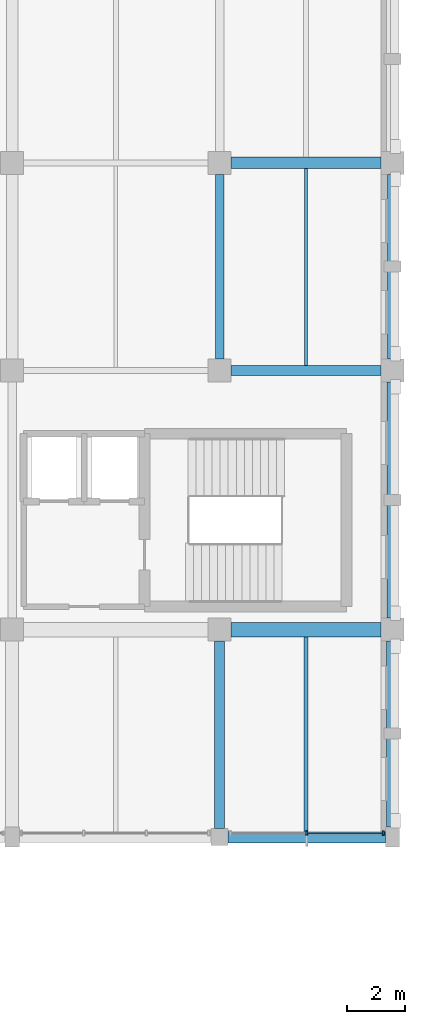
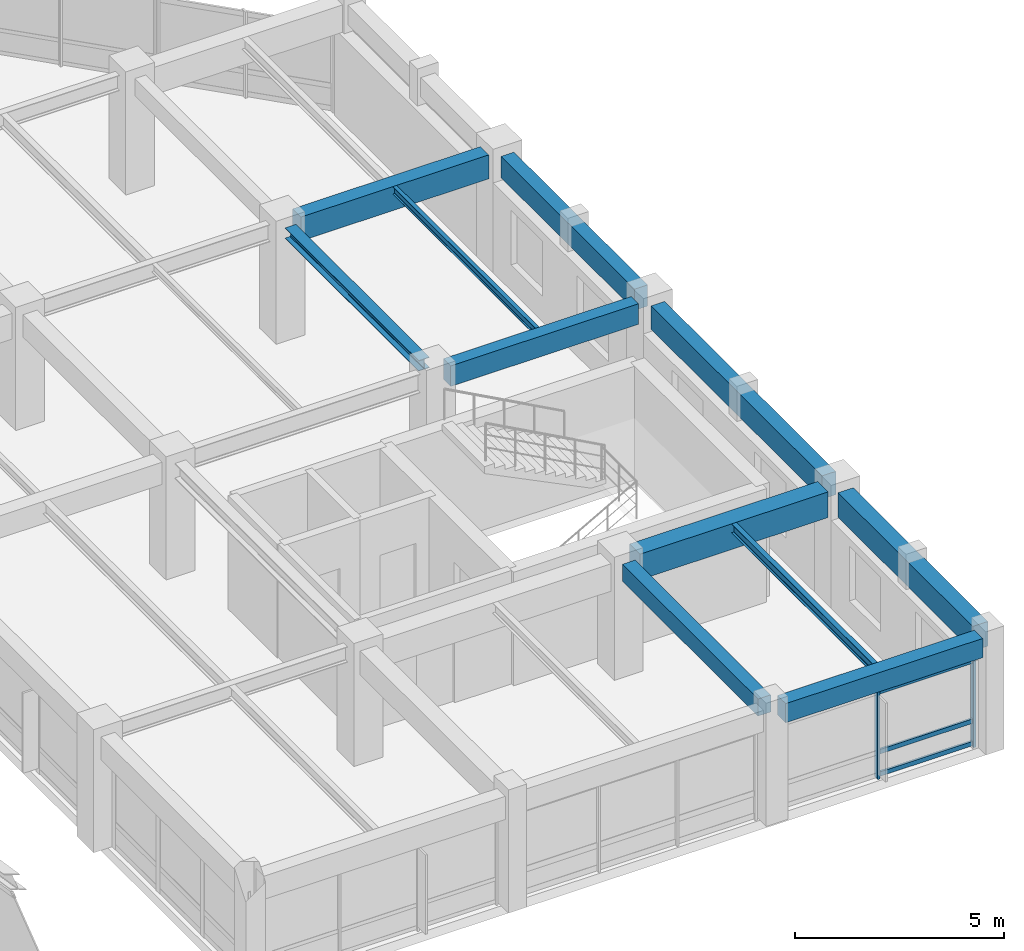
# One storey, part 38 of 74: 11 beams, 5 members, 1 element without a shape of its own.
"""IFC4 building model written with IfcOpenShell, lengths in metres."""

import ifcopenshell
import ifcopenshell.guid

model = None  # the IFC model being written
_history = None  # IfcOwnerHistory: only IFC2X3 demands one
_inside = {}  # id of a spatial element -> (the spatial element, [elements in it])
_under = {}  # id of a project, library or spatial element -> (it, [spatial elements below it])
_declared = {}  # id of a project -> (the project, [libraries it declares])
_typed = {}  # id of a type object -> (the type object, [elements of that type])
_made_of = {}  # id of a material, layer set ... -> (it, [elements and type objects made of it])


def new_model(schema):
    """Start an empty IFC model of exactly this schema.

    Asked for "IFC4X3", IfcOpenShell would pick the latest addendum, in which some entities
    have other attributes; the version numbers below select the first issue.
    IFC2X3 requires an IfcOwnerHistory on every rooted entity: one is made here for all.
    """
    global model, _history
    if schema == "IFC4X3":
        model = ifcopenshell.file(schema_version=(4, 3, 0, 0))
    else:
        model = ifcopenshell.file(schema=schema)
    _inside.clear()
    _under.clear()
    _declared.clear()
    _typed.clear()
    _made_of.clear()
    _history = None
    if model.schema == "IFC2X3":
        org = make("IfcOrganization", Name="unknown")
        user = make(
            "IfcPersonAndOrganization",
            ThePerson=make("IfcPerson", FamilyName="unknown"),
            TheOrganization=org,
        )
        app = make(
            "IfcApplication",
            ApplicationDeveloper=org,
            Version="unknown",
            ApplicationFullName="unknown",
            ApplicationIdentifier="unknown",
        )
        _history = make(
            "IfcOwnerHistory",
            OwningUser=user,
            OwningApplication=app,
            ChangeAction="ADDED",
            CreationDate=0,
        )
    return model


def make(cls, **values):
    """One entity of the class cls with the attributes given. An attribute that is None is left unset."""
    return model.create_entity(
        cls, **{name: value for name, value in values.items() if value is not None}
    )


def rooted(cls, **values):
    """An entity with a GlobalId (a new one), such as an element, a storey or a relation."""
    return make(cls, GlobalId=ifcopenshell.guid.new(), OwnerHistory=_history, **values)


def si_unit(unit_type, name, prefix=None):
    """IfcSIUnit, for example si_unit("LENGTHUNIT", "METRE", prefix="MILLI")."""
    return make("IfcSIUnit", UnitType=unit_type, Prefix=prefix, Name=name)


def assignment(units):
    """IfcUnitAssignment: the units of a project."""
    return None if units is None else make("IfcUnitAssignment", Units=units)


def point(xyz):
    """IfcCartesianPoint."""
    return None if xyz is None else make("IfcCartesianPoint", Coordinates=xyz)


def direction(xyz):
    """IfcDirection."""
    return None if xyz is None else make("IfcDirection", DirectionRatios=xyz)


def frame(location, z_axis=None, x_axis=None):
    """IfcAxis2Placement3D, a coordinate frame: its origin and axes. An axis left out is left unset."""
    return make(
        "IfcAxis2Placement3D",
        Location=point(location),
        Axis=direction(z_axis),
        RefDirection=direction(x_axis),
    )


def frame_2d(location, x_axis=None):
    """IfcAxis2Placement2D, a coordinate frame in the plane: its origin and x axis."""
    return make(
        "IfcAxis2Placement2D", Location=point(location), RefDirection=direction(x_axis)
    )


def origin():
    """The frame at (0, 0, 0) with its axes left unset."""
    return frame((0.0, 0.0, 0.0))


def origin_2d():
    """The frame at (0, 0) in the plane with its x axis left unset."""
    return frame_2d((0.0, 0.0))


def place(relative_to, where):
    """IfcLocalPlacement: puts the frame where relative to a parent placement (None: the world)."""
    return make(
        "IfcLocalPlacement", PlacementRelTo=relative_to, RelativePlacement=where
    )


def context(
    kind, dimensions, precision=None, world=None, true_north=None, identifier=None
):
    """IfcGeometricRepresentationContext, for example the 3D "Model" context."""
    return make(
        "IfcGeometricRepresentationContext",
        ContextIdentifier=identifier,
        ContextType=kind,
        CoordinateSpaceDimension=dimensions,
        Precision=precision,
        WorldCoordinateSystem=world,
        TrueNorth=true_north,
    )


def subcontext(parent, identifier, kind, view, scale=None):
    """IfcGeometricRepresentationSubContext, for example "Body" below "Model"."""
    return make(
        "IfcGeometricRepresentationSubContext",
        ContextIdentifier=identifier,
        ContextType=kind,
        ParentContext=parent,
        TargetScale=scale,
        TargetView=view,
    )


def project(units=None, contexts=None):
    """IfcProject with its units and contexts."""
    return rooted(
        "IfcProject",
        Name="project",
        RepresentationContexts=contexts,
        UnitsInContext=assignment(units),
    )


def spatial(cls, under=None, at=None, **own):
    """A site, building, storey or space (cls), placed at a placement, below another one or the project."""
    s = rooted(cls, ObjectPlacement=at, **own)
    if under is not None:
        _under.setdefault(under.id(), (under, []))[1].append(s)
    return s


def profile(cls, at=None, kind="AREA", **sizes):
    """A parametric profile (cls). Its sizes go by their IFC names, for example OverallWidth=200.0."""
    return make(cls, ProfileType=kind, Position=at, **sizes)


def rectangle(**sizes):
    """IfcRectangleProfileDef."""
    return profile("IfcRectangleProfileDef", **sizes)


def i_section(**sizes):
    """IfcIShapeProfileDef."""
    return profile("IfcIShapeProfileDef", **sizes)


def extrude(swept, where, along, depth):
    """IfcExtrudedAreaSolid: the profile swept, set in the frame where, extruded along a direction by depth."""
    return make(
        "IfcExtrudedAreaSolid",
        SweptArea=swept,
        Position=where,
        ExtrudedDirection=direction(along),
        Depth=depth,
    )


def shape(context_of_items, identifier, shape_type, items):
    """IfcShapeRepresentation: the items that make up one representation, for example the "Body"."""
    return make(
        "IfcShapeRepresentation",
        ContextOfItems=context_of_items,
        RepresentationIdentifier=identifier,
        RepresentationType=shape_type,
        Items=items,
    )


def material(Name=None, Category=None):
    """IfcMaterial."""
    return make("IfcMaterial", Name=Name, Category=Category)


def material_profile(
    of_material, cross_section, Name=None, Category=None, Priority=None
):
    """IfcMaterialProfile: a cross section and its material."""
    return make(
        "IfcMaterialProfile",
        Name=Name,
        Material=of_material,
        Profile=cross_section,
        Priority=Priority,
        Category=Category,
    )


def profile_set(profiles, Name=None, composite=None):
    """IfcMaterialProfileSet."""
    return make(
        "IfcMaterialProfileSet",
        Name=Name,
        MaterialProfiles=profiles,
        CompositeProfile=composite,
    )


def made_of(thing, what):
    """Note that an element or type object is made of a material, layer set ...; save() writes the relation."""
    if what is not None:
        _made_of.setdefault(what.id(), (what, []))[1].append(thing)
    return thing


def type_object(cls, material=None, **own):
    """A type object (cls), such as IfcWallType, which elements share."""
    return made_of(rooted(cls, **own), material)


def element(
    cls,
    number,
    at=None,
    inside=None,
    cuts=None,
    type_object=None,
    material=None,
    context=None,
    identifier="Body",
    shape_type=None,
    held_by="IfcProductDefinitionShape",
    body=None,
    shapes=None,
    **own,
):
    """One element of the class cls, such as IfcWall. Its Tag is "e" and its number.

    at: its placement. inside: the storey or other place that contains it. cuts: it is an
    opening in that element (IfcRelVoidsElement). A single representation is given by context,
    identifier, shape_type and body (its items); several are given by shapes. held_by: the class
    of the entity that holds the representations. save() writes the other relations.
    """
    e = rooted(cls, Tag="e%d" % number, ObjectPlacement=at, **own)
    if body is not None:
        shapes = [shape(context, identifier, shape_type, body)]
    if shapes is not None:
        e.Representation = make(held_by, Representations=shapes)
    if inside is not None:
        _inside.setdefault(inside.id(), (inside, []))[1].append(e)
    if cuts is not None:
        rooted(
            "IfcRelVoidsElement", RelatingBuildingElement=cuts, RelatedOpeningElement=e
        )
    if type_object is not None:
        _typed.setdefault(type_object.id(), (type_object, []))[1].append(e)
    return made_of(e, material)


def aggregate(whole, parts):
    """IfcRelAggregates: a whole, such as a stair, and the parts it consists of."""
    return rooted("IfcRelAggregates", RelatingObject=whole, RelatedObjects=parts)


def save(model, path):
    """Write the relations noted so far, then the file.

    IfcRelAggregates (storeys below a building ...), IfcRelContainedInSpatialStructure (elements
    in a storey), IfcRelDefinesByType, IfcRelAssociatesMaterial and IfcRelDeclares: one each for
    every whole, place, type object, material and project.
    """
    for whole, parts in _under.values():
        aggregate(whole, parts)
    for where, things in _inside.values():
        rooted(
            "IfcRelContainedInSpatialStructure",
            RelatedElements=things,
            RelatingStructure=where,
        )
    for kind, things in _typed.values():
        rooted("IfcRelDefinesByType", RelatedObjects=things, RelatingType=kind)
    for what, things in _made_of.values():
        rooted("IfcRelAssociatesMaterial", RelatedObjects=things, RelatingMaterial=what)
    for by, libraries in _declared.values():
        rooted("IfcRelDeclares", RelatingContext=by, RelatedDefinitions=libraries)
    model.write(path)


model = new_model("IFC4")

# Units and contexts
model_context = context("Model", 3, precision=1e-05, world=origin(), true_north=direction((0.0, 1.0)))
body_context = subcontext(model_context, "Body", "Model", "MODEL_VIEW")
ifc_project = project(units=[si_unit("LENGTHUNIT", "METRE"), si_unit("AREAUNIT", "SQUARE_METRE"), si_unit("VOLUMEUNIT", "CUBIC_METRE"), si_unit("PLANEANGLEUNIT", "RADIAN"), si_unit("MASSUNIT", "GRAM", prefix="KILO")], contexts=[model_context])

# Site, building, storey
site_placement = place(None, origin())
site = spatial("IfcSite", under=ifc_project, at=site_placement, CompositionType="ELEMENT")
building_placement = place(site_placement, origin())
building = spatial("IfcBuilding", under=site, at=building_placement, Name="Clarverna Civic Hall", CompositionType="ELEMENT")
storey_placement = place(building_placement, frame((0.0, 0.0, 9.60009765625)))
storey = spatial("IfcBuildingStorey", under=building, at=storey_placement, Name="L02", CompositionType="ELEMENT", Elevation=9.60009765625)

# Beams
ifc_material_1 = material(Name="Concrete C35/45", Category="concrete")
ifc_material_profile_1 = material_profile(ifc_material_1, rectangle(XDim=0.35009765625, YDim=0.5, at=origin_2d()), Name="RC 350x500")
ifc_profile_set_1 = profile_set([ifc_material_profile_1], Name="Concrete C35/45")
beam_type_1 = type_object("IfcBeamType", Name="B-RC10", PredefinedType="BEAM", material=ifc_profile_set_1)
beam_1_placement = place(storey_placement, frame((162.0, 71.89990234375, 3.06982421875), z_axis=(0.0, 1.0, 0.0), x_axis=(-1.0, 0.0, 0.0)))
element("IfcBeam", 1, at=beam_1_placement, inside=storey, type_object=beam_type_1, Name="B-RC10-030", PredefinedType="BEAM", context=body_context, shape_type="SweptSolid", body=[
    extrude(rectangle(XDim=0.35009765625, YDim=0.5, at=origin_2d()), origin(), (0.0, 0.0, 1.0), 6.5),
])
ifc_material_profile_2 = material_profile(ifc_material_1, rectangle(XDim=0.5, YDim=0.75, at=origin_2d()), Name="RC 500x750")
ifc_profile_set_2 = profile_set([ifc_material_profile_2], Name="Concrete C35/45")
beam_type_2 = type_object("IfcBeamType", Name="B-RC15", PredefinedType="BEAM", material=ifc_profile_set_2)
beam_2_placement = place(storey_placement, frame((162.39990234375, 78.800048828125, 2.94482421875), z_axis=(1.0, 0.0, 0.0), x_axis=(0.0, 1.0, 0.0)))
element("IfcBeam", 2, at=beam_2_placement, inside=storey, type_object=beam_type_2, Name="B-RC15-035", PredefinedType="BEAM", context=body_context, shape_type="SweptSolid", body=[
    extrude(rectangle(XDim=0.5, YDim=0.75, at=origin_2d()), origin(), (0.0, 0.0, 1.0), 5.2001953125),
])
ifc_material_profile_3 = material_profile(ifc_material_1, rectangle(XDim=0.39990234375, YDim=0.699951171875, at=origin_2d()), Name="RC 400x700")
ifc_profile_set_3 = profile_set([ifc_material_profile_3], Name="Concrete C35/45")
beam_type_3 = type_object("IfcBeamType", Name="B-RC5", PredefinedType="BEAM", material=ifc_profile_set_3)
beam_3_placement = place(storey_placement, frame((162.39990234375, 95.0, 2.969970703125), z_axis=(1.0, 0.0, 0.0), x_axis=(0.0, 1.0, 0.0)))
element("IfcBeam", 3, at=beam_3_placement, inside=storey, type_object=beam_type_3, Name="B-RC5-030", PredefinedType="BEAM", context=body_context, shape_type="SweptSolid", body=[
    extrude(rectangle(XDim=0.39990234375, YDim=0.699951171875, at=origin_2d()), origin(), (0.0, 0.0, 1.0), 5.2001953125),
])
ifc_material_profile_4 = material_profile(ifc_material_1, rectangle(XDim=0.35009765625, YDim=0.60009765625, at=origin_2d()), Name="RC 350x600")
ifc_profile_set_4 = profile_set([ifc_material_profile_4], Name="Concrete C35/45")
beam_type_4 = type_object("IfcBeamType", Name="B-RC8", PredefinedType="BEAM", material=ifc_profile_set_4)
beam_4_placement = place(storey_placement, frame((162.39990234375, 87.800048828125, 3.02001953125), z_axis=(1.0, 0.0, 0.0), x_axis=(0.0, 1.0, 0.0)))
element("IfcBeam", 4, at=beam_4_placement, inside=storey, type_object=beam_type_4, Name="B-RC8-026", PredefinedType="BEAM", context=body_context, shape_type="SweptSolid", body=[
    extrude(rectangle(XDim=0.35009765625, YDim=0.60009765625, at=origin_2d()), origin(), (0.0, 0.0, 1.0), 5.2001953125),
])
ifc_material_profile_5 = material_profile(ifc_material_1, rectangle(XDim=0.419921875, YDim=0.719970703125, at=origin_2d()), Name="RC 420x720")
ifc_profile_set_5 = profile_set([ifc_material_profile_5], Name="Concrete C35/45")
beam_type_5 = type_object("IfcBeamType", Name="B-SP1", PredefinedType="SPANDREL", material=ifc_profile_set_5)
beam_5_placement = place(storey_placement, frame((168.0, 71.949951171875, 2.9599609375), z_axis=(0.0, 1.0, 0.0), x_axis=(-1.0, 0.0, 0.0)))
element("IfcBeam", 5, at=beam_5_placement, inside=storey, type_object=beam_type_5, Name="B-SP1-105", PredefinedType="SPANDREL", context=body_context, shape_type="SweptSolid", body=[
    extrude(rectangle(XDim=0.419921875, YDim=0.719970703125, at=origin_2d()), origin(), (0.0, 0.0, 1.0), 6.449951171875),
])
ifc_material_profile_6 = material_profile(ifc_material_1, rectangle(XDim=0.3798828125, YDim=0.679931640625, at=origin_2d()), Name="RC 380x680")
ifc_profile_set_6 = profile_set([ifc_material_profile_6], Name="Concrete C35/45")
beam_type_6 = type_object("IfcBeamType", Name="B-SP2", PredefinedType="SPANDREL", material=ifc_profile_set_6)
beam_6_placement = place(storey_placement, frame((168.0, 79.199951171875, 2.97998046875), z_axis=(0.0, 1.0, 0.0), x_axis=(-1.0, 0.0, 0.0)))
element("IfcBeam", 6, at=beam_6_placement, inside=storey, type_object=beam_type_6, Name="B-SP2-108", PredefinedType="SPANDREL", context=body_context, shape_type="SweptSolid", body=[
    extrude(rectangle(XDim=0.3798828125, YDim=0.679931640625, at=origin_2d()), origin(), (0.0, 0.0, 1.0), 8.199951171875),
])
ifc_material_profile_7 = material_profile(ifc_material_1, rectangle(XDim=0.360107421875, YDim=0.6201171875, at=origin_2d()), Name="RC 360x620")
ifc_profile_set_7 = profile_set([ifc_material_profile_7], Name="Concrete C35/45")
beam_type_7 = type_object("IfcBeamType", Name="B-SP3", PredefinedType="SPANDREL", material=ifc_profile_set_7)
beam_7_placement = place(storey_placement, frame((168.0, 88.199951171875, 3.010009765625), z_axis=(0.0, 1.0, 0.0), x_axis=(-1.0, 0.0, 0.0)))
element("IfcBeam", 7, at=beam_7_placement, inside=storey, type_object=beam_type_7, Name="B-SP3-106", PredefinedType="SPANDREL", context=body_context, shape_type="SweptSolid", body=[
    extrude(rectangle(XDim=0.360107421875, YDim=0.6201171875, at=origin_2d()), origin(), (0.0, 0.0, 1.0), 6.400146484375),
])
ifc_material_profile_8 = material_profile(ifc_material_1, rectangle(XDim=0.39990234375, YDim=0.56005859375, at=origin_2d()), Name="RC 400x560")
ifc_profile_set_8 = profile_set([ifc_material_profile_8], Name="Concrete C35/45")
beam_type_8 = type_object("IfcBeamType", Name="B-SP4", PredefinedType="SPANDREL", material=ifc_profile_set_8)
beam_8_placement = place(storey_placement, frame((162.300048828125, 71.60009765625, 3.039794921875), z_axis=(1.0, 0.0, 0.0), x_axis=(0.0, 1.0, 0.0)))
element("IfcBeam", 8, at=beam_8_placement, inside=storey, type_object=beam_type_8, Name="B-SP4-086", PredefinedType="SPANDREL", context=body_context, shape_type="SweptSolid", body=[
    extrude(rectangle(XDim=0.39990234375, YDim=0.56005859375, at=origin_2d()), origin(), (0.0, 0.0, 1.0), 5.449951171875),
])
ifc_material_2 = material(Name="Steel S355", Category="steel")
ifc_material_profile_9 = material_profile(ifc_material_2, i_section(OverallWidth=0.300048828125, OverallDepth=0.31005859375, WebThickness=0.009033203125, FlangeThickness=0.015380859375, FilletRadius=0.027099609375, at=origin_2d()), Name="HEA 320")
ifc_profile_set_9 = profile_set([ifc_material_profile_9], Name="Steel S355")
beam_type_9 = type_object("IfcBeamType", Name="B-ST9", PredefinedType="BEAM", material=ifc_profile_set_9)
beam_9_placement = place(storey_placement, frame((162.0, 88.199951171875, 3.164794921875), z_axis=(0.0, 1.0, 0.0), x_axis=(-1.0, 0.0, 0.0)))
element("IfcBeam", 9, at=beam_9_placement, inside=storey, type_object=beam_type_9, Name="B-ST9-076", PredefinedType="BEAM", context=body_context, shape_type="SweptSolid", body=[
    extrude(i_section(OverallWidth=0.300048828125, OverallDepth=0.31005859375, WebThickness=0.009033203125, FlangeThickness=0.015380859375, FilletRadius=0.027099609375, at=origin_2d()), origin(), (0.0, 0.0, 1.0), 6.400146484375),
])

# Curtain wall, members
ifc_material_3 = material(Name="Anodised Bronze Architectural Aluminium", Category="aluminium")
curtain_wall_type = type_object("IfcCurtainWallType", Name="CW-01", PredefinedType="USERDEFINED", material=ifc_material_3)
curtain_wall_placement = place(storey_placement, origin())
curtain_wall = element("IfcCurtainWall", 10, at=curtain_wall_placement, inside=storey, type_object=curtain_wall_type, Name="CW-01-044", ObjectType="UNITISED CURTAIN WALL", PredefinedType="USERDEFINED")
ifc_material_profile_10 = material_profile(ifc_material_3, rectangle(XDim=0.06005859375, YDim=0.159912109375, at=origin_2d()), Name="BRONZE 60x160")
ifc_profile_set_10 = profile_set([ifc_material_profile_10], Name="Anodised Bronze Architectural Aluminium")
member_type_1 = type_object("IfcMemberType", Name="CWM-02", PredefinedType="MULLION", material=ifc_profile_set_10)
member_1_placement = place(storey_placement, frame((167.677001953125, 71.739990234375, 0.0), z_axis=(0.0, 0.0, 1.0), x_axis=(1.0, 0.0, 0.0)))
member_1 = element("IfcMember", 11, at=member_1_placement, type_object=member_type_1, Name="CWM-02-110", PredefinedType="MULLION", context=body_context, shape_type="SweptSolid", body=[
    extrude(rectangle(XDim=0.06005859375, YDim=0.159912109375, at=origin_2d()), origin(), (0.0, 0.0, 1.0), 2.599853515625),
])
member_2_placement = place(storey_placement, frame((165.02490234375, 71.739990234375, 0.0), z_axis=(0.0, 0.0, 1.0), x_axis=(1.0, 0.0, 0.0)))
member_2 = element("IfcMember", 12, at=member_2_placement, type_object=member_type_1, Name="CWM-02-111", PredefinedType="MULLION", context=body_context, shape_type="SweptSolid", body=[
    extrude(rectangle(XDim=0.06005859375, YDim=0.159912109375, at=origin_2d()), origin(), (0.0, 0.0, 1.0), 2.599853515625),
])
ifc_material_profile_11 = material_profile(ifc_material_3, rectangle(XDim=0.06005859375, YDim=0.1298828125, at=origin_2d()), Name="BRONZE 60x130")
ifc_profile_set_11 = profile_set([ifc_material_profile_11], Name="Anodised Bronze Architectural Aluminium")
member_type_2 = type_object("IfcMemberType", Name="CWT-02", PredefinedType="USERDEFINED", material=ifc_profile_set_11)
member_3_placement = place(storey_placement, frame((167.662109375, 71.739990234375, 0.094970703125), z_axis=(-1.0, 0.0, 0.0), x_axis=(0.0, -1.0, 0.0)))
member_3 = element("IfcMember", 13, at=member_3_placement, type_object=member_type_2, Name="CWT-02-229", ObjectType="TRANSOM", PredefinedType="USERDEFINED", context=body_context, shape_type="SweptSolid", body=[
    extrude(rectangle(XDim=0.06005859375, YDim=0.1298828125, at=origin_2d()), origin(), (0.0, 0.0, 1.0), 2.6220703125),
])
member_4_placement = place(storey_placement, frame((167.662109375, 71.739990234375, 0.75), z_axis=(-1.0, 0.0, 0.0), x_axis=(0.0, -1.0, 0.0)))
member_4 = element("IfcMember", 14, at=member_4_placement, type_object=member_type_2, Name="CWT-02-230", ObjectType="TRANSOM", PredefinedType="USERDEFINED", context=body_context, shape_type="SweptSolid", body=[
    extrude(rectangle(XDim=0.06005859375, YDim=0.1298828125, at=origin_2d()), origin(), (0.0, 0.0, 1.0), 2.6220703125),
])
member_5_placement = place(storey_placement, frame((167.662109375, 71.739990234375, 2.5048828125), z_axis=(-1.0, 0.0, 0.0), x_axis=(0.0, -1.0, 0.0)))
member_5 = element("IfcMember", 15, at=member_5_placement, type_object=member_type_2, Name="CWT-02-231", ObjectType="TRANSOM", PredefinedType="USERDEFINED", context=body_context, shape_type="SweptSolid", body=[
    extrude(rectangle(XDim=0.06005859375, YDim=0.1298828125, at=origin_2d()), origin(), (0.0, 0.0, 1.0), 2.6220703125),
])
aggregate(curtain_wall, [member_1, member_2, member_3, member_4, member_5])

# Beams
ifc_material_profile_12 = material_profile(ifc_material_2, i_section(OverallWidth=0.135009765625, OverallDepth=0.27001953125, WebThickness=0.006591796875, FlangeThickness=0.01025390625, FilletRadius=0.014892578125, at=origin_2d()), Name="IPE 270")
ifc_profile_set_12 = profile_set([ifc_material_profile_12], Name="Steel S355")
beam_type_10 = type_object("IfcBeamType", Name="J-ST4", PredefinedType="JOIST", material=ifc_profile_set_12)
beam_10_placement = place(storey_placement, frame((165.0, 71.800048828125, 3.184814453125), z_axis=(0.0, 1.0, 0.0), x_axis=(-1.0, 0.0, 0.0)))
element("IfcBeam", 16, at=beam_10_placement, inside=storey, type_object=beam_type_10, Name="J-ST4-055", PredefinedType="JOIST", context=body_context, shape_type="SweptSolid", body=[
    extrude(i_section(OverallWidth=0.135009765625, OverallDepth=0.27001953125, WebThickness=0.006591796875, FlangeThickness=0.01025390625, FilletRadius=0.014892578125, at=origin_2d()), origin(), (0.0, 0.0, 1.0), 6.75),
])
ifc_material_profile_13 = material_profile(ifc_material_2, i_section(OverallWidth=0.110107421875, OverallDepth=0.219970703125, WebThickness=0.005859375, FlangeThickness=0.00927734375, FilletRadius=0.011962890625, at=origin_2d()), Name="IPE 220")
ifc_profile_set_13 = profile_set([ifc_material_profile_13], Name="Steel S355")
beam_type_11 = type_object("IfcBeamType", Name="J-ST6", PredefinedType="JOIST", material=ifc_profile_set_13)
beam_11_placement = place(storey_placement, frame((165.0, 87.97509765625, 3.2099609375), z_axis=(0.0, 1.0, 0.0), x_axis=(-1.0, 0.0, 0.0)))
element("IfcBeam", 17, at=beam_11_placement, inside=storey, type_object=beam_type_11, Name="J-ST6-056", PredefinedType="JOIST", context=body_context, shape_type="SweptSolid", body=[
    extrude(i_section(OverallWidth=0.110107421875, OverallDepth=0.219970703125, WebThickness=0.005859375, FlangeThickness=0.00927734375, FilletRadius=0.011962890625, at=origin_2d()), origin(), (0.0, 0.0, 1.0), 6.824951171875),
])

save(model, "model.ifc")
